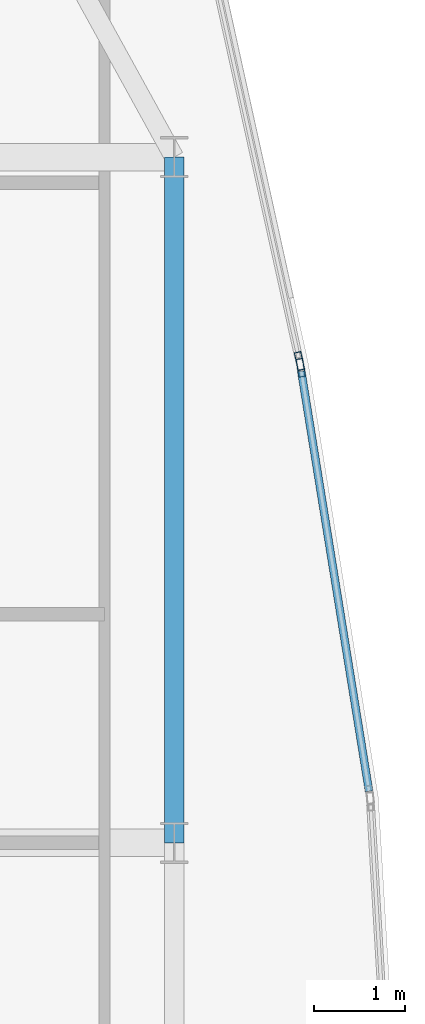
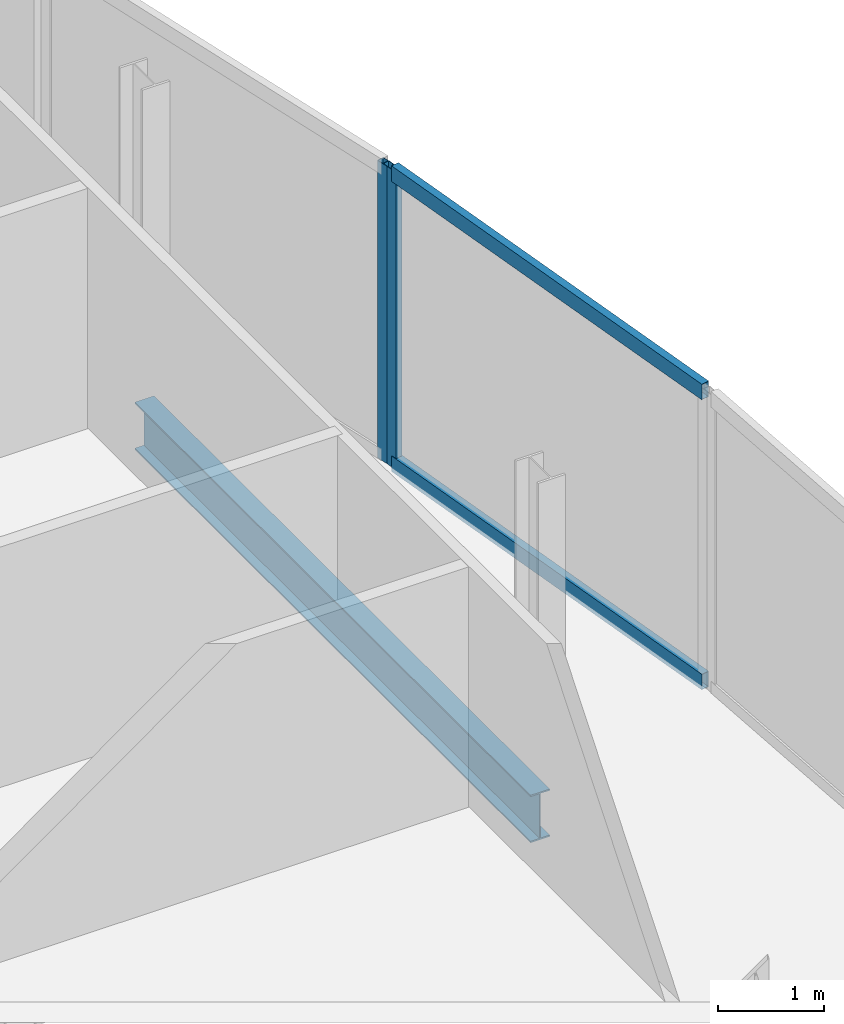
# One storey, part 19 of 30: 4 members, 1 beam, 2 elements without a shape of their own.
"""IFC4 building model written with IfcOpenShell, lengths in metres."""

from ifc_helpers import new_model, si_unit, direction, frame, origin, origin_2d, place, context, subcontext, project, spatial, hollow_rectangle, i_section, extrude, material, material_profile, profile_set, type_object, element, aggregate, save


model = new_model("IFC4")

# Units and contexts
model_context = context("Model", 3, precision=1e-05, world=origin(), true_north=direction((0.0, 1.0)))
body_context = subcontext(model_context, "Body", "Model", "MODEL_VIEW")
ifc_project = project(units=[si_unit("LENGTHUNIT", "METRE"), si_unit("AREAUNIT", "SQUARE_METRE"), si_unit("VOLUMEUNIT", "CUBIC_METRE"), si_unit("PLANEANGLEUNIT", "RADIAN"), si_unit("MASSUNIT", "GRAM", prefix="KILO")], contexts=[model_context])

# Site, building, storey
site_placement = place(None, origin())
site = spatial("IfcSite", under=ifc_project, at=site_placement, CompositionType="ELEMENT")
building_placement = place(site_placement, origin())
building = spatial("IfcBuilding", under=site, at=building_placement, Name="Khoronbel Lancet Exchange", CompositionType="ELEMENT")
storey_placement = place(building_placement, frame((0.0, 0.0, 269.800048828125)))
storey = spatial("IfcBuildingStorey", under=building, at=storey_placement, Name="L69", CompositionType="ELEMENT", Elevation=269.800048828125)

# Beam
ifc_material_1 = material(Name="Steel S355", Category="steel")
ifc_material_profile_1 = material_profile(ifc_material_1, i_section(OverallWidth=0.2099609375, OverallDepth=0.550048828125, WebThickness=0.010986328125, FlangeThickness=0.01708984375, at=origin_2d()), Name="IPE 550")
ifc_profile_set_1 = profile_set([ifc_material_profile_1], Name="Steel S355")
beam_type = type_object("IfcBeamType", Name="BM-BSP3", PredefinedType="SPANDREL", material=ifc_profile_set_1)
beam_placement = place(storey_placement, frame((63.6298828125, 35.699951171875, -0.43505859375), z_axis=(0.0, 1.0, 0.0), x_axis=(-1.0, 0.0, 0.0)))
element("IfcBeam", 1, at=beam_placement, inside=storey, type_object=beam_type, Name="Level L69 perimeter spandrel beam SP14", PredefinedType="SPANDREL", context=body_context, shape_type="SweptSolid", body=[
    extrude(i_section(OverallWidth=0.2099609375, OverallDepth=0.550048828125, WebThickness=0.010986328125, FlangeThickness=0.01708984375, at=origin_2d()), origin(), (0.0, 0.0, 1.0), 7.5),
])

# Curtain wall, member
ifc_material_2 = material(Name="Low-E Solar Control Insulating Glass", Category="glass")
curtain_wall_type = type_object("IfcCurtainWallType", Name="CW-4", PredefinedType="NOTDEFINED", material=ifc_material_2)
curtain_wall_1_placement = place(storey_placement, origin())
curtain_wall_1 = element("IfcCurtainWall", 2, at=curtain_wall_1_placement, inside=storey, type_object=curtain_wall_type, Name="Unitised curtain wall CW-L69-E17", PredefinedType="NOTDEFINED")
ifc_material_3 = material(Name="Bronze-Anodised Aluminium 6063-T6", Category="aluminium")
ifc_material_profile_2 = material_profile(ifc_material_3, hollow_rectangle(XDim=0.074951171875, YDim=0.199951171875, WallThickness=0.0048828125, at=origin_2d()), Name="ALU MULLION 75x200")
ifc_profile_set_2 = profile_set([ifc_material_profile_2], Name="Bronze-Anodised Aluminium 6063-T6")
member_type_1 = type_object("IfcMemberType", Name="MEM-CWM2", PredefinedType="MULLION", material=ifc_profile_set_2)
member_1_placement = place(storey_placement, frame((65.000244140625, 40.9697265625, 0.0), z_axis=(0.0, 0.0, 1.0), x_axis=(0.976565223192, 0.21522166446, 0.0)))
member_1 = element("IfcMember", 3, at=member_1_placement, type_object=member_type_1, Name="CW4 mullion 2", PredefinedType="MULLION", context=body_context, shape_type="SweptSolid", body=[
    extrude(hollow_rectangle(XDim=0.074951171875, YDim=0.199951171875, WallThickness=0.0048828125, at=origin_2d()), origin(), (0.0, 0.0, 1.0), 3.43994140625),
])
aggregate(curtain_wall_1, [member_1])

# Curtain wall, members
curtain_wall_2_placement = place(storey_placement, origin())
curtain_wall_2 = element("IfcCurtainWall", 4, at=curtain_wall_2_placement, inside=storey, type_object=curtain_wall_type, Name="Unitised curtain wall CW-L69-E18", PredefinedType="NOTDEFINED")
member_2_placement = place(storey_placement, frame((65.014404296875, 40.89599609375, 0.0), z_axis=(0.0, 0.0, 1.0), x_axis=(0.98723404771, 0.159276285246, 0.0)))
member_2 = element("IfcMember", 5, at=member_2_placement, type_object=member_type_1, Name="CW4 mullion 1", PredefinedType="MULLION", context=body_context, shape_type="SweptSolid", body=[
    extrude(hollow_rectangle(XDim=0.074951171875, YDim=0.199951171875, WallThickness=0.0048828125, at=origin_2d()), origin(), (0.0, 0.0, 1.0), 3.43994140625),
])
ifc_material_profile_3 = material_profile(ifc_material_3, hollow_rectangle(XDim=0.0849609375, YDim=0.179931640625, WallThickness=0.0048828125, at=origin_2d()), Name="ALU TRANSOM 85x180")
ifc_profile_set_3 = profile_set([ifc_material_profile_3], Name="Bronze-Anodised Aluminium 6063-T6")
member_type_2 = type_object("IfcMemberType", Name="MEM-CWT1", PredefinedType="USERDEFINED", material=ifc_profile_set_3)
member_3_placement = place(storey_placement, frame((65.020263671875, 40.859130859375, 0.04248046875), z_axis=(0.159301702772, -0.987229946615, 0.0), x_axis=(0.987229946615, 0.159301702772, 0.0)))
member_3 = element("IfcMember", 6, at=member_3_placement, type_object=member_type_2, Name="CW4 transom 1.1", ObjectType="TRANSOM", PredefinedType="USERDEFINED", context=body_context, shape_type="SweptSolid", body=[
    extrude(hollow_rectangle(XDim=0.0849609375, YDim=0.179931640625, WallThickness=0.0048828125, at=origin_2d()), origin(), (0.0, 0.0, 1.0), 4.654296875),
])
member_4_placement = place(storey_placement, frame((65.020263671875, 40.859130859375, 3.3974609375), z_axis=(0.159301702772, -0.987229946615, 0.0), x_axis=(0.987229946615, 0.159301702772, 0.0)))
member_4 = element("IfcMember", 7, at=member_4_placement, type_object=member_type_2, Name="CW4 transom 1.2", ObjectType="TRANSOM", PredefinedType="USERDEFINED", context=body_context, shape_type="SweptSolid", body=[
    extrude(hollow_rectangle(XDim=0.0849609375, YDim=0.179931640625, WallThickness=0.0048828125, at=origin_2d()), origin(), (0.0, 0.0, 1.0), 4.654296875),
])
aggregate(curtain_wall_2, [member_2, member_3, member_4])

save(model, "model.ifc")
